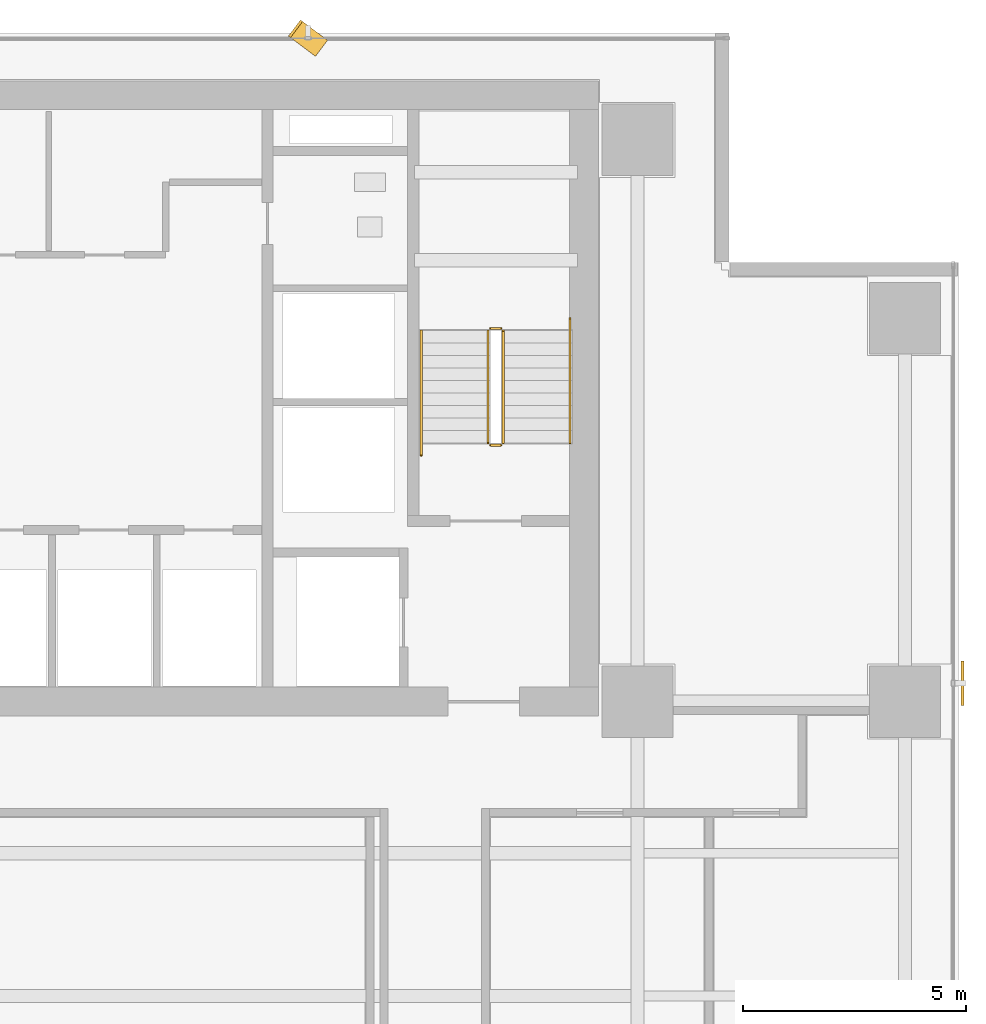
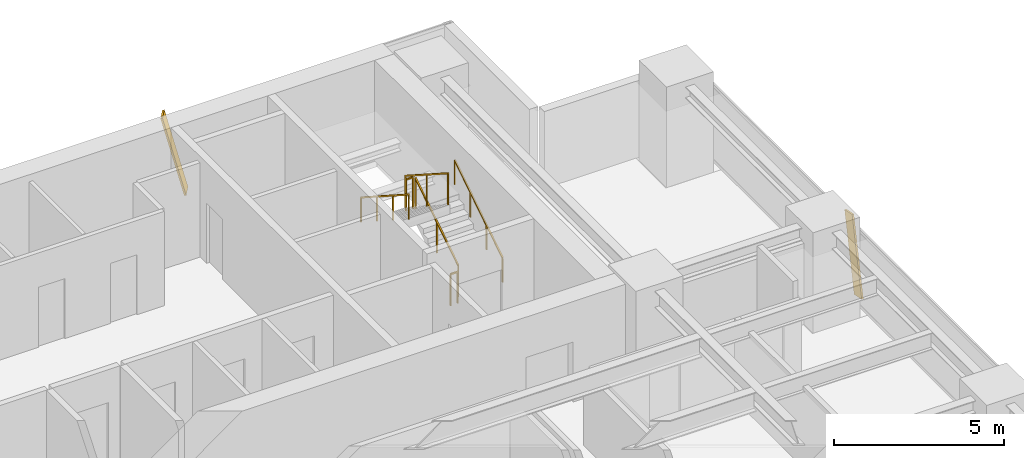
# One storey, part 27 of 28: 6 railings, 2 shading devices.
"""IFC4 building model written with IfcOpenShell, lengths in metres."""

from ifc_helpers import new_model, si_unit, direction, frame, origin, origin_2d, place, context, subcontext, project, spatial, rectangle, extrude, source, transform, mapped, material, material_profile, profile_set, type_object, element, save


model = new_model("IFC4")

# Units and contexts
model_context = context("Model", 3, precision=1e-05, world=origin(), true_north=direction((0.0, 1.0)))
body_context = subcontext(model_context, "Body", "Model", "MODEL_VIEW")
ifc_project = project(units=[si_unit("LENGTHUNIT", "METRE"), si_unit("AREAUNIT", "SQUARE_METRE"), si_unit("VOLUMEUNIT", "CUBIC_METRE"), si_unit("PLANEANGLEUNIT", "RADIAN"), si_unit("MASSUNIT", "GRAM", prefix="KILO")], contexts=[model_context])

# Site, building, storey
site_placement = place(None, origin())
site = spatial("IfcSite", under=ifc_project, at=site_placement, CompositionType="ELEMENT")
building_placement = place(site_placement, origin())
building = spatial("IfcBuilding", under=site, at=building_placement, Name="Sumidabori Civic Tower", CompositionType="ELEMENT")
storey_placement = place(building_placement, frame((0.0, 0.0, 174.800048828125)))
storey = spatial("IfcBuildingStorey", under=building, at=storey_placement, Name="L45", CompositionType="ELEMENT", Elevation=174.800048828125)

# Railings
ifc_material_1 = material(Name="Stainless Steel Hairline Finish", Category="steel")
railing_type_1 = type_object("IfcRailingType", Name="RL-HANDRAIL", PredefinedType="HANDRAIL", material=ifc_material_1)
railing_1_placement = place(storey_placement, frame((15.2900390625, 16.0, 0.179931640625)))
element("IfcRailing", 1, at=railing_1_placement, inside=storey, type_object=railing_type_1, Name="L45 ST-2 stair handrail 1", PredefinedType="HANDRAIL", context=body_context, shape_type="SweptSolid", body=[
    extrude(rectangle(XDim=0.048095703125, YDim=0.048095703125, at=origin_2d()), frame((0.0, 0.0, 0.8759765625), z_axis=(0.0, 0.840675598268, 0.541539046124), x_axis=(-1.0, 0.0, 0.0)), (0.0, 0.0, 1.0), 3.330810546875),
    extrude(rectangle(XDim=0.0419921875, YDim=0.0419921875, at=origin_2d()), origin(), (0.0, 0.0, 1.0), 0.851806640625),
    extrude(rectangle(XDim=0.0419921875, YDim=0.0419921875, at=origin_2d()), frame((0.0, 0.933349609375, 0.601318359375)), (0.0, 0.0, 1.0), 0.851806640625),
    extrude(rectangle(XDim=0.0419921875, YDim=0.0419921875, at=origin_2d()), frame((0.0, 1.86669921875, 1.202392578125)), (0.0, 0.0, 1.0), 0.851806640625),
    extrude(rectangle(XDim=0.0419921875, YDim=0.0419921875, at=origin_2d()), frame((0.0, 2.800048828125, 1.8037109375)), (0.0, 0.0, 1.0), 0.851806640625),
])
railing_2_placement = place(storey_placement, frame((11.949951171875, 18.52001953125, 1.97998046875)))
element("IfcRailing", 2, at=railing_2_placement, inside=storey, type_object=railing_type_1, Name="L45 ST-2 stair handrail 2", PredefinedType="HANDRAIL", context=body_context, shape_type="SweptSolid", body=[
    extrude(rectangle(XDim=0.048095703125, YDim=0.048095703125, at=origin_2d()), frame((0.0, 0.0, 0.8759765625), z_axis=(0.0, -0.840675598268, 0.541539046124), x_axis=(1.0, 0.0, 0.0)), (0.0, 0.0, 1.0), 3.330810546875),
    extrude(rectangle(XDim=0.0419921875, YDim=0.0419921875, at=origin_2d()), origin(), (0.0, 0.0, 1.0), 0.851806640625),
    extrude(rectangle(XDim=0.0419921875, YDim=0.0419921875, at=origin_2d()), frame((0.0, -0.933349609375, 0.601318359375)), (0.0, 0.0, 1.0), 0.851806640625),
    extrude(rectangle(XDim=0.0419921875, YDim=0.0419921875, at=origin_2d()), frame((0.0, -1.86669921875, 1.202392578125)), (0.0, 0.0, 1.0), 0.851806640625),
    extrude(rectangle(XDim=0.0419921875, YDim=0.0419921875, at=origin_2d()), frame((0.0, -2.800048828125, 1.8037109375)), (0.0, 0.0, 1.0), 0.851806640625),
])
ifc_material_2 = material(Name="Steel SN490", Category="steel")
railing_type_2 = type_object("IfcRailingType", Name="RL-STAIR-GUARD", PredefinedType="GUARDRAIL", material=ifc_material_2)
railing_3_placement = place(storey_placement, frame((13.7900390625, 16.0, 0.179931640625)))
element("IfcRailing", 3, at=railing_3_placement, inside=storey, type_object=railing_type_2, Name="L45 ST-2 stair guard 1", PredefinedType="GUARDRAIL", context=body_context, shape_type="SweptSolid", body=[
    extrude(rectangle(XDim=0.048095703125, YDim=0.048095703125, at=origin_2d()), frame((0.0, 0.0, 1.1259765625), z_axis=(0.0, 0.841162588446, 0.540782303519), x_axis=(-1.0, 0.0, 0.0)), (0.0, 0.0, 1.0), 2.995849609375),
    extrude(rectangle(XDim=0.0419921875, YDim=0.0419921875, at=origin_2d()), origin(), (0.0, 0.0, 1.0), 1.101806640625),
    extrude(rectangle(XDim=0.0419921875, YDim=0.0419921875, at=origin_2d()), frame((0.0, 1.260009765625, 0.81005859375)), (0.0, 0.0, 1.0), 1.101806640625),
    extrude(rectangle(XDim=0.0419921875, YDim=0.0419921875, at=origin_2d()), frame((0.0, 2.52001953125, 1.6201171875)), (0.0, 0.0, 1.0), 1.101806640625),
])
railing_4_placement = place(storey_placement, frame((13.739990234375, 18.570068359375, 1.800048828125)))
element("IfcRailing", 4, at=railing_4_placement, inside=storey, type_object=railing_type_2, Name="L45 ST-2 stair guard 2", PredefinedType="GUARDRAIL", context=body_context, shape_type="SweptSolid", body=[
    extrude(rectangle(XDim=0.048095703125, YDim=0.048095703125, at=origin_2d()), frame((0.0, 0.0, 1.1259765625), z_axis=(-1.0, 0.0, 0.0), x_axis=(0.0, -1.0, 0.0)), (0.0, 0.0, 1.0), 0.239990234375),
    extrude(rectangle(XDim=0.0419921875, YDim=0.0419921875, at=origin_2d()), origin(), (0.0, 0.0, 1.0), 1.101806640625),
    extrude(rectangle(XDim=0.0419921875, YDim=0.0419921875, at=origin_2d()), frame((-0.239990234375, 0.0, 0.0)), (0.0, 0.0, 1.0), 1.101806640625),
])
railing_5_placement = place(storey_placement, frame((13.449951171875, 18.52001953125, 1.97998046875)))
element("IfcRailing", 5, at=railing_5_placement, inside=storey, type_object=railing_type_2, Name="L45 ST-2 stair guard 3", PredefinedType="GUARDRAIL", context=body_context, shape_type="SweptSolid", body=[
    extrude(rectangle(XDim=0.048095703125, YDim=0.048095703125, at=origin_2d()), frame((0.0, 0.0, 1.1259765625), z_axis=(0.0, -0.841199657755, 0.540724639528), x_axis=(1.0, 0.0, 0.0)), (0.0, 0.0, 1.0), 2.995849609375),
    extrude(rectangle(XDim=0.0419921875, YDim=0.0419921875, at=origin_2d()), origin(), (0.0, 0.0, 1.0), 1.101806640625),
    extrude(rectangle(XDim=0.0419921875, YDim=0.0419921875, at=origin_2d()), frame((0.0, -1.260009765625, 0.81005859375)), (0.0, 0.0, 1.0), 1.101806640625),
    extrude(rectangle(XDim=0.0419921875, YDim=0.0419921875, at=origin_2d()), frame((0.0, -2.52001953125, 1.619873046875)), (0.0, 0.0, 1.0), 1.101806640625),
])
railing_6_placement = place(storey_placement, frame((13.739990234375, 15.949951171875, 0.0)))
element("IfcRailing", 6, at=railing_6_placement, inside=storey, type_object=railing_type_2, Name="L45 ST-2 stair guard 4", PredefinedType="GUARDRAIL", context=body_context, shape_type="SweptSolid", body=[
    extrude(rectangle(XDim=0.048095703125, YDim=0.048095703125, at=origin_2d()), frame((0.0, 0.0, 1.1259765625), z_axis=(-1.0, 0.0, 0.0), x_axis=(0.0, -1.0, 0.0)), (0.0, 0.0, 1.0), 0.239990234375),
    extrude(rectangle(XDim=0.0419921875, YDim=0.0419921875, at=origin_2d()), origin(), (0.0, 0.0, 1.0), 1.101806640625),
    extrude(rectangle(XDim=0.0419921875, YDim=0.0419921875, at=origin_2d()), frame((-0.239990234375, 0.0, 0.0)), (0.0, 0.0, 1.0), 1.101806640625),
])

# Shading devices
ifc_material_3 = material(Name="Anodised Bronze Aluminium AW-6063-T6", Category="aluminium")
ifc_material_profile = material_profile(ifc_material_3, rectangle(XDim=0.06005859375, YDim=0.449951171875, at=origin_2d()), Name="BRONZE FIN 450x60")
ifc_profile_set = profile_set([ifc_material_profile], Name="Anodised Bronze Aluminium AW-6063-T6")
shading_device_type = type_object("IfcShadingDeviceType", Name="SH-FIN-450", PredefinedType="USERDEFINED", material=ifc_profile_set)
shared_shape_1 = source(origin(), body_context, "Body", "SweptSolid", [
    extrude(rectangle(XDim=0.06005859375, YDim=0.449951171875, at=origin_2d()), origin(), (0.0, 0.0, 1.0), 2.789306640625),
])
shading_device_1_placement = place(storey_placement, frame((9.68994140625, 24.8701171875, 0.02001953125), z_axis=(-0.200794136335, 0.150551837182, 0.967995794998), x_axis=(0.774477654896, -0.580689436103, 0.250966413819)))
element("IfcShadingDevice", 7, at=shading_device_1_placement, inside=storey, type_object=shading_device_type, Name="Bronze Anodised Diagonal Fin L45-01", ObjectType="FIN", PredefinedType="USERDEFINED", context=body_context, shape_type="MappedRepresentation", body=[
    mapped(shared_shape_1, transform((0.0, 0.0, 0.0), x_axis=(1.0, 0.0, 0.0), y_axis=(0.0, 1.0, 0.0), z_axis=(0.0, 0.0, 1.0), scale=1.0)),
])
shared_shape_2 = source(origin(), body_context, "Body", "SweptSolid", [
    extrude(rectangle(XDim=0.06005859375, YDim=0.449951171875, at=origin_2d()), origin(), (0.0, 0.0, 1.0), 2.75732421875),
])
shading_device_2_placement = place(storey_placement, frame((24.090087890625, 10.330078125, 0.02001953125), z_axis=(0.0, 0.20302426177, 0.979173707333), x_axis=(-1.0, 0.0, 0.0)))
element("IfcShadingDevice", 8, at=shading_device_2_placement, inside=storey, type_object=shading_device_type, Name="Bronze Anodised Diagonal Fin L45-03", ObjectType="FIN", PredefinedType="USERDEFINED", context=body_context, shape_type="MappedRepresentation", body=[
    mapped(shared_shape_2, transform((0.0, 0.0, 0.0), x_axis=(1.0, 0.0, 0.0), y_axis=(0.0, 1.0, 0.0), z_axis=(0.0, 0.0, 1.0), scale=1.0)),
])

save(model, "model.ifc")
